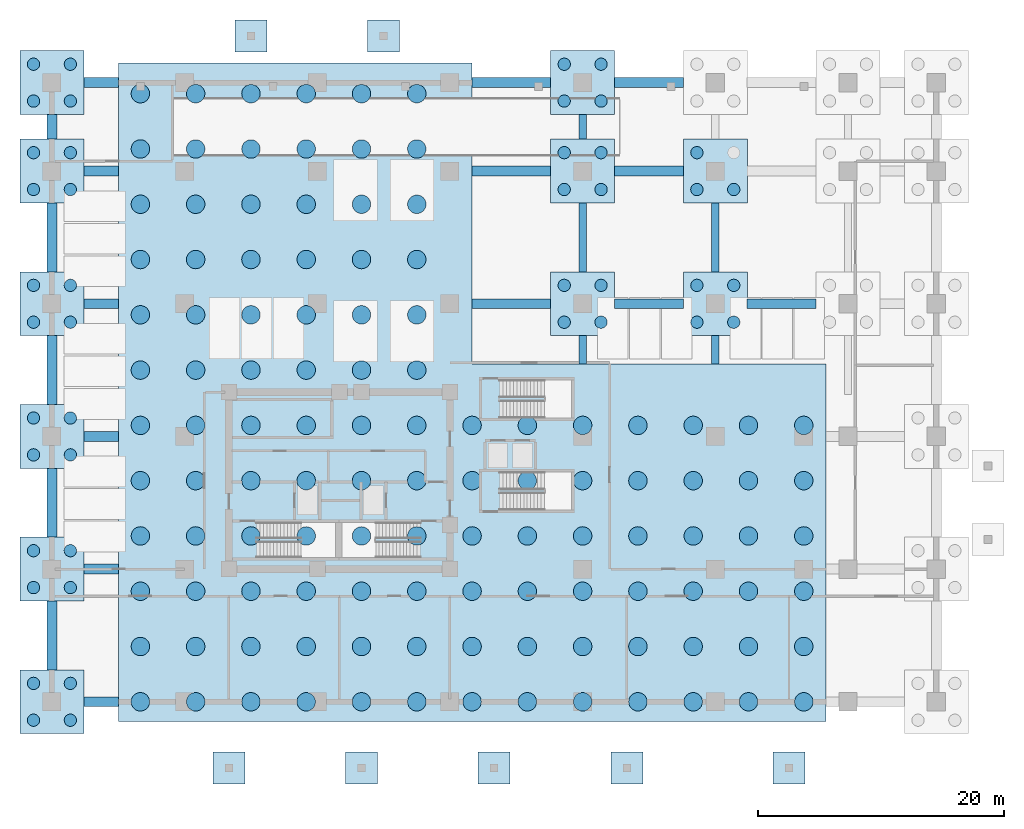
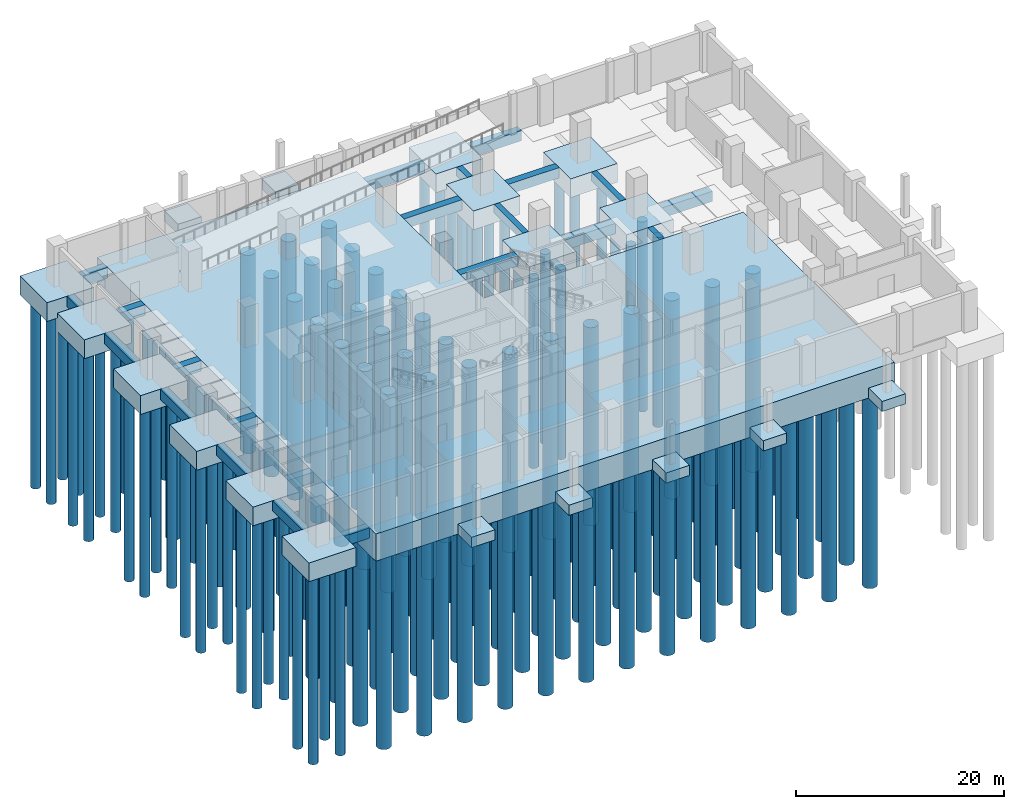
# One storey, part 1 of 9: 157 piles, 42 footings.
"""IFC4 building model written with IfcOpenShell, lengths in metres."""

from ifc_helpers import new_model, si_unit, direction, frame, origin, origin_2d, place, context, subcontext, project, spatial, polyline, rectangle, circle, outline, extrude, material, material_profile, profile_set, type_object, element, save


model = new_model("IFC4")

# Units and contexts
model_context = context("Model", 3, precision=1e-05, world=origin(), true_north=direction((0.0, 1.0)))
body_context = subcontext(model_context, "Body", "Model", "MODEL_VIEW")
ifc_project = project(units=[si_unit("LENGTHUNIT", "METRE"), si_unit("AREAUNIT", "SQUARE_METRE"), si_unit("VOLUMEUNIT", "CUBIC_METRE"), si_unit("PLANEANGLEUNIT", "RADIAN"), si_unit("MASSUNIT", "GRAM", prefix="KILO")], contexts=[model_context])

# Site, building, storey
site_placement = place(None, origin())
site = spatial("IfcSite", under=ifc_project, at=site_placement, CompositionType="ELEMENT")
building_placement = place(site_placement, origin())
building = spatial("IfcBuilding", under=site, at=building_placement, Name="Solnavia Interchange Tower", CompositionType="ELEMENT")
storey_placement = place(building_placement, frame((0.0, 0.0, -9.60009765625)))
storey = spatial("IfcBuildingStorey", under=building, at=storey_placement, Name="B02", CompositionType="ELEMENT", Elevation=-9.60009765625)

# Footings
ifc_material = material(Name="Concrete C40/50", Category="concrete")
footing_type_1 = type_object("IfcFootingType", Name="Footing-CanopyPad-2600", PredefinedType="PAD_FOOTING", material=ifc_material)
for number, where, z_axis, x_axis, name in (
    (1, (14.39990234375, -5.39990234375, -1.19970703125), (0.0, 0.0, 1.0), (1.0, 0.0, 0.0), "PAD-B02-01 Promenade canopy pad footing"),
    (2, (25.199951171875, -5.39990234375, -1.19970703125), (0.0, 0.0, 1.0), (1.0, 0.0, 0.0), "PAD-B02-02 Promenade canopy pad footing"),
    (3, (36.0, -5.39990234375, -1.19970703125), (0.0, 0.0, 1.0), (1.0, 0.0, 0.0), "PAD-B02-03 Promenade canopy pad footing"),
    (4, (46.800048828125, -5.39990234375, -1.19970703125), (0.0, 0.0, 1.0), (1.0, 0.0, 0.0), "PAD-B02-04 Promenade canopy pad footing"),
    (5, (60.0, -5.39990234375, -1.19970703125), (0.0, 0.0, 1.0), (1.0, 0.0, 0.0), "PAD-B02-05 Promenade canopy pad footing"),
    (6, (16.199951171875, 54.199951171875, -1.19970703125), (0.0, 0.0, 1.0), (1.0, 0.0, 0.0), "PAD-B02-06 Promenade canopy pad footing"),
    (7, (27.0, 54.199951171875, -1.19970703125), (0.0, 0.0, 1.0), (1.0, 0.0, 0.0), "PAD-B02-07 Promenade canopy pad footing"),
):
    element("IfcFooting", number, at=place(storey_placement, frame(where, z_axis=z_axis, x_axis=x_axis)), inside=storey, type_object=footing_type_1, Name=name, PredefinedType="PAD_FOOTING", context=body_context, shape_type="SweptSolid", body=[
        extrude(rectangle(XDim=2.60009765625, YDim=2.60009765625, at=origin_2d()), origin(), (0.0, 0.0, 1.0), 1.199951171875),
    ])
footing_type_2 = type_object("IfcFootingType", Name="Footing-Cap-5200", PredefinedType="PILE_CAP", material=ifc_material)
for number, where, z_axis, x_axis, name in (
    (8, (0.0, 0.0, -2.19970703125), (0.0, 0.0, 1.0), (1.0, 0.0, 0.0), "PCP-B02-01 Podium four-pile cap"),
    (9, (0.0, 10.800048828125, -2.19970703125), (0.0, 0.0, 1.0), (1.0, 0.0, 0.0), "PCP-B02-02 Podium four-pile cap"),
    (10, (0.0, 21.60009765625, -2.19970703125), (0.0, 0.0, 1.0), (1.0, 0.0, 0.0), "PCP-B02-03 Podium four-pile cap"),
    (11, (0.0, 32.39990234375, -2.19970703125), (0.0, 0.0, 1.0), (1.0, 0.0, 0.0), "PCP-B02-04 Podium four-pile cap"),
    (12, (0.0, 43.199951171875, -2.19970703125), (0.0, 0.0, 1.0), (1.0, 0.0, 0.0), "PCP-B02-05 Podium four-pile cap"),
    (13, (0.0, 50.39990234375, -2.19970703125), (0.0, 0.0, 1.0), (1.0, 0.0, 0.0), "PCP-B02-06 Podium four-pile cap"),
    (14, (43.199951171875, 32.39990234375, -2.19970703125), (0.0, 0.0, 1.0), (1.0, 0.0, 0.0), "PCP-B02-13 Podium four-pile cap"),
    (15, (43.199951171875, 43.199951171875, -2.19970703125), (0.0, 0.0, 1.0), (1.0, 0.0, 0.0), "PCP-B02-14 Podium four-pile cap"),
    (16, (43.199951171875, 50.39990234375, -2.19970703125), (0.0, 0.0, 1.0), (1.0, 0.0, 0.0), "PCP-B02-15 Podium four-pile cap"),
    (17, (54.0, 32.39990234375, -2.19970703125), (0.0, 0.0, 1.0), (1.0, 0.0, 0.0), "PCP-B02-16 Podium four-pile cap"),
    (18, (54.0, 43.199951171875, -2.19970703125), (0.0, 0.0, 1.0), (1.0, 0.0, 0.0), "PCP-B02-17 Podium four-pile cap"),
):
    element("IfcFooting", number, at=place(storey_placement, frame(where, z_axis=z_axis, x_axis=x_axis)), inside=storey, type_object=footing_type_2, Name=name, PredefinedType="PILE_CAP", context=body_context, shape_type="SweptSolid", body=[
        extrude(rectangle(XDim=5.199951171875, YDim=5.199951171875, at=origin_2d()), origin(), (0.0, 0.0, 1.0), 2.199951171875),
    ])
footing_type_3 = type_object("IfcFootingType", Name="Footing-GroundBeam-600x1000", PredefinedType="FOOTING_BEAM", material=ifc_material)
footing_1_placement = place(storey_placement, frame((43.199951171875, 28.64990234375, -1.0), z_axis=(0.0, 0.0, 1.0), x_axis=(0.0, 1.0, 0.0)))
element("IfcFooting", 19, at=footing_1_placement, inside=storey, type_object=footing_type_3, Name="GBM-B02-32 Ground tie beam", PredefinedType="FOOTING_BEAM", context=body_context, shape_type="SweptSolid", body=[
    extrude(rectangle(XDim=2.300048828125, YDim=0.60009765625, at=origin_2d()), origin(), (0.0, 0.0, 1.0), 1.0),
])
footing_2_placement = place(storey_placement, frame((43.199951171875, 37.800048828125, -1.0), z_axis=(0.0, 0.0, 1.0), x_axis=(0.0, 1.0, 0.0)))
element("IfcFooting", 20, at=footing_2_placement, inside=storey, type_object=footing_type_3, Name="GBM-B02-33 Ground tie beam", PredefinedType="FOOTING_BEAM", context=body_context, shape_type="SweptSolid", body=[
    extrude(rectangle(XDim=5.60009765625, YDim=0.60009765625, at=origin_2d()), origin(), (0.0, 0.0, 1.0), 1.0),
])
footing_3_placement = place(storey_placement, frame((43.199951171875, 46.800048828125, -1.0), z_axis=(0.0, 0.0, 1.0), x_axis=(0.0, 1.0, 0.0)))
element("IfcFooting", 21, at=footing_3_placement, inside=storey, type_object=footing_type_3, Name="GBM-B02-34 Ground tie beam", PredefinedType="FOOTING_BEAM", context=body_context, shape_type="SweptSolid", body=[
    extrude(rectangle(XDim=2.0, YDim=0.60009765625, at=origin_2d()), origin(), (0.0, 0.0, 1.0), 1.0),
])
footing_4_placement = place(storey_placement, frame((54.0, 28.64990234375, -1.0), z_axis=(0.0, 0.0, 1.0), x_axis=(0.0, 1.0, 0.0)))
element("IfcFooting", 22, at=footing_4_placement, inside=storey, type_object=footing_type_3, Name="GBM-B02-35 Ground tie beam", PredefinedType="FOOTING_BEAM", context=body_context, shape_type="SweptSolid", body=[
    extrude(rectangle(XDim=2.300048828125, YDim=0.60009765625, at=origin_2d()), origin(), (0.0, 0.0, 1.0), 1.0),
])
footing_5_placement = place(storey_placement, frame((54.0, 37.800048828125, -1.0), z_axis=(0.0, 0.0, 1.0), x_axis=(0.0, 1.0, 0.0)))
element("IfcFooting", 23, at=footing_5_placement, inside=storey, type_object=footing_type_3, Name="GBM-B02-36 Ground tie beam", PredefinedType="FOOTING_BEAM", context=body_context, shape_type="SweptSolid", body=[
    extrude(rectangle(XDim=5.60009765625, YDim=0.60009765625, at=origin_2d()), origin(), (0.0, 0.0, 1.0), 1.0),
])
footing_type_4 = type_object("IfcFootingType", Name="Footing-GroundBeam-800x1200", PredefinedType="FOOTING_BEAM", material=ifc_material)
for number, where, z_axis, x_axis, name in (
    (24, (0.0, 5.39990234375, -1.19970703125), (0.0, 0.0, 1.0), (0.0, 1.0, 0.0), "GBM-B02-01 Ground tie beam"),
    (25, (0.0, 16.199951171875, -1.19970703125), (0.0, 0.0, 1.0), (0.0, 1.0, 0.0), "GBM-B02-02 Ground tie beam"),
    (26, (0.0, 27.0, -1.19970703125), (0.0, 0.0, 1.0), (0.0, 1.0, 0.0), "GBM-B02-03 Ground tie beam"),
    (27, (0.0, 37.800048828125, -1.19970703125), (0.0, 0.0, 1.0), (0.0, 1.0, 0.0), "GBM-B02-04 Ground tie beam"),
):
    element("IfcFooting", number, at=place(storey_placement, frame(where, z_axis=z_axis, x_axis=x_axis)), inside=storey, type_object=footing_type_4, Name=name, PredefinedType="FOOTING_BEAM", context=body_context, shape_type="SweptSolid", body=[
        extrude(rectangle(XDim=5.60009765625, YDim=0.800048828125, at=origin_2d()), origin(), (0.0, 0.0, 1.0), 1.199951171875),
    ])
footing_6_placement = place(storey_placement, frame((0.0, 46.800048828125, -1.19970703125), z_axis=(0.0, 0.0, 1.0), x_axis=(0.0, 1.0, 0.0)))
element("IfcFooting", 28, at=footing_6_placement, inside=storey, type_object=footing_type_4, Name="GBM-B02-05 Ground tie beam", PredefinedType="FOOTING_BEAM", context=body_context, shape_type="SweptSolid", body=[
    extrude(rectangle(XDim=2.0, YDim=0.800048828125, at=origin_2d()), origin(), (0.0, 0.0, 1.0), 1.199951171875),
])
for number, where, z_axis, x_axis, name in (
    (29, (4.0, 0.0, -1.19970703125), (0.0, 0.0, 1.0), (1.0, 0.0, 0.0), "GBM-B02-11 Ground tie beam"),
    (30, (4.0, 10.800048828125, -1.19970703125), (0.0, 0.0, 1.0), (1.0, 0.0, 0.0), "GBM-B02-13 Ground tie beam"),
    (31, (4.0, 21.60009765625, -1.19970703125), (0.0, 0.0, 1.0), (1.0, 0.0, 0.0), "GBM-B02-15 Ground tie beam"),
    (32, (4.0, 32.39990234375, -1.19970703125), (0.0, 0.0, 1.0), (1.0, 0.0, 0.0), "GBM-B02-17 Ground tie beam"),
):
    element("IfcFooting", number, at=place(storey_placement, frame(where, z_axis=z_axis, x_axis=x_axis)), inside=storey, type_object=footing_type_4, Name=name, PredefinedType="FOOTING_BEAM", context=body_context, shape_type="SweptSolid", body=[
        extrude(rectangle(XDim=2.800048828125, YDim=0.800048828125, at=origin_2d()), origin(), (0.0, 0.0, 1.0), 1.199951171875),
    ])
footing_7_placement = place(storey_placement, frame((37.39990234375, 32.39990234375, -1.19970703125), z_axis=(0.0, 0.0, 1.0), x_axis=(1.0, 0.0, 0.0)))
element("IfcFooting", 33, at=footing_7_placement, inside=storey, type_object=footing_type_4, Name="GBM-B02-18 Ground tie beam", PredefinedType="FOOTING_BEAM", context=body_context, shape_type="SweptSolid", body=[
    extrude(rectangle(XDim=6.39990234375, YDim=0.800048828125, at=origin_2d()), origin(), (0.0, 0.0, 1.0), 1.199951171875),
])
for number, where, z_axis, x_axis, name in (
    (34, (48.60009765625, 32.39990234375, -1.19970703125), (0.0, 0.0, 1.0), (1.0, 0.0, 0.0), "GBM-B02-19 Ground tie beam"),
    (35, (59.39990234375, 32.39990234375, -1.19970703125), (0.0, 0.0, 1.0), (1.0, 0.0, 0.0), "GBM-B02-20 Ground tie beam"),
):
    element("IfcFooting", number, at=place(storey_placement, frame(where, z_axis=z_axis, x_axis=x_axis)), inside=storey, type_object=footing_type_4, Name=name, PredefinedType="FOOTING_BEAM", context=body_context, shape_type="SweptSolid", body=[
        extrude(rectangle(XDim=5.60009765625, YDim=0.800048828125, at=origin_2d()), origin(), (0.0, 0.0, 1.0), 1.199951171875),
    ])
footing_8_placement = place(storey_placement, frame((4.0, 43.199951171875, -1.19970703125), z_axis=(0.0, 0.0, 1.0), x_axis=(1.0, 0.0, 0.0)))
element("IfcFooting", 36, at=footing_8_placement, inside=storey, type_object=footing_type_4, Name="GBM-B02-22 Ground tie beam", PredefinedType="FOOTING_BEAM", context=body_context, shape_type="SweptSolid", body=[
    extrude(rectangle(XDim=2.800048828125, YDim=0.800048828125, at=origin_2d()), origin(), (0.0, 0.0, 1.0), 1.199951171875),
])
footing_9_placement = place(storey_placement, frame((37.39990234375, 43.199951171875, -1.19970703125), z_axis=(0.0, 0.0, 1.0), x_axis=(1.0, 0.0, 0.0)))
element("IfcFooting", 37, at=footing_9_placement, inside=storey, type_object=footing_type_4, Name="GBM-B02-23 Ground tie beam", PredefinedType="FOOTING_BEAM", context=body_context, shape_type="SweptSolid", body=[
    extrude(rectangle(XDim=6.39990234375, YDim=0.800048828125, at=origin_2d()), origin(), (0.0, 0.0, 1.0), 1.199951171875),
])
footing_10_placement = place(storey_placement, frame((48.60009765625, 43.199951171875, -1.19970703125), z_axis=(0.0, 0.0, 1.0), x_axis=(1.0, 0.0, 0.0)))
element("IfcFooting", 38, at=footing_10_placement, inside=storey, type_object=footing_type_4, Name="GBM-B02-24 Ground tie beam", PredefinedType="FOOTING_BEAM", context=body_context, shape_type="SweptSolid", body=[
    extrude(rectangle(XDim=5.60009765625, YDim=0.800048828125, at=origin_2d()), origin(), (0.0, 0.0, 1.0), 1.199951171875),
])
footing_11_placement = place(storey_placement, frame((4.0, 50.39990234375, -1.19970703125), z_axis=(0.0, 0.0, 1.0), x_axis=(1.0, 0.0, 0.0)))
element("IfcFooting", 39, at=footing_11_placement, inside=storey, type_object=footing_type_4, Name="GBM-B02-27 Ground tie beam", PredefinedType="FOOTING_BEAM", context=body_context, shape_type="SweptSolid", body=[
    extrude(rectangle(XDim=2.800048828125, YDim=0.800048828125, at=origin_2d()), origin(), (0.0, 0.0, 1.0), 1.199951171875),
])
footing_12_placement = place(storey_placement, frame((37.39990234375, 50.39990234375, -1.19970703125), z_axis=(0.0, 0.0, 1.0), x_axis=(1.0, 0.0, 0.0)))
element("IfcFooting", 40, at=footing_12_placement, inside=storey, type_object=footing_type_4, Name="GBM-B02-28 Ground tie beam", PredefinedType="FOOTING_BEAM", context=body_context, shape_type="SweptSolid", body=[
    extrude(rectangle(XDim=6.39990234375, YDim=0.800048828125, at=origin_2d()), origin(), (0.0, 0.0, 1.0), 1.199951171875),
])
footing_13_placement = place(storey_placement, frame((48.60009765625, 50.39990234375, -1.19970703125), z_axis=(0.0, 0.0, 1.0), x_axis=(1.0, 0.0, 0.0)))
element("IfcFooting", 41, at=footing_13_placement, inside=storey, type_object=footing_type_4, Name="GBM-B02-29 Ground tie beam", PredefinedType="FOOTING_BEAM", context=body_context, shape_type="SweptSolid", body=[
    extrude(rectangle(XDim=5.60009765625, YDim=0.800048828125, at=origin_2d()), origin(), (0.0, 0.0, 1.0), 1.199951171875),
])
footing_type_5 = type_object("IfcFootingType", Name="Footing-Raft-3200", PredefinedType="PAD_FOOTING", material=ifc_material)
footing_14_placement = place(storey_placement, frame((0.0, 0.0, -3.199951171875)))
element("IfcFooting", 42, at=footing_14_placement, inside=storey, type_object=footing_type_5, Name="RAF-B02-01 Tower piled raft foundation", PredefinedType="PAD_FOOTING", context=body_context, shape_type="SweptSolid", body=[
    extrude(outline(polyline([(5.39990234375, -1.60009765625), (63.0, -1.60009765625), (63.0, 27.5), (34.199951171875, 27.5), (34.199951171875, 52.0), (5.39990234375, 52.0), (5.39990234375, -1.60009765625)])), origin(), (0.0, 0.0, 1.0), 3.199951171875),
])

# Piles
ifc_material_profile_1 = material_profile(ifc_material, circle(Radius=0.5, at=origin_2d()), Name="PILE D1000")
ifc_profile_set_1 = profile_set([ifc_material_profile_1], Name="Concrete C40/50")
pile_type_1 = type_object("IfcPileType", Name="Pile-Bored-D1000", PredefinedType="BORED", material=ifc_profile_set_1)
for number, where, z_axis, x_axis, name in (
    (43, (-1.5, -1.5, -2.099853515625), (0.0, 0.0, -1.0), (1.0, 0.0, 0.0), "BPL-C-001 Cap bored pile"),
    (44, (-1.5, 1.5, -2.099853515625), (0.0, 0.0, -1.0), (1.0, 0.0, 0.0), "BPL-C-002 Cap bored pile"),
    (45, (1.5, -1.5, -2.099853515625), (0.0, 0.0, -1.0), (1.0, 0.0, 0.0), "BPL-C-003 Cap bored pile"),
    (46, (1.5, 1.5, -2.099853515625), (0.0, 0.0, -1.0), (1.0, 0.0, 0.0), "BPL-C-004 Cap bored pile"),
    (47, (-1.5, 9.300048828125, -2.099853515625), (0.0, 0.0, -1.0), (1.0, 0.0, 0.0), "BPL-C-005 Cap bored pile"),
    (48, (-1.5, 12.300048828125, -2.099853515625), (0.0, 0.0, -1.0), (1.0, 0.0, 0.0), "BPL-C-006 Cap bored pile"),
    (49, (1.5, 9.300048828125, -2.099853515625), (0.0, 0.0, -1.0), (1.0, 0.0, 0.0), "BPL-C-007 Cap bored pile"),
    (50, (1.5, 12.300048828125, -2.099853515625), (0.0, 0.0, -1.0), (1.0, 0.0, 0.0), "BPL-C-008 Cap bored pile"),
    (51, (-1.5, 20.10009765625, -2.099853515625), (0.0, 0.0, -1.0), (1.0, 0.0, 0.0), "BPL-C-009 Cap bored pile"),
    (52, (-1.5, 23.10009765625, -2.099853515625), (0.0, 0.0, -1.0), (1.0, 0.0, 0.0), "BPL-C-010 Cap bored pile"),
    (53, (1.5, 20.10009765625, -2.099853515625), (0.0, 0.0, -1.0), (1.0, 0.0, 0.0), "BPL-C-011 Cap bored pile"),
    (54, (1.5, 23.10009765625, -2.099853515625), (0.0, 0.0, -1.0), (1.0, 0.0, 0.0), "BPL-C-012 Cap bored pile"),
    (55, (-1.5, 30.89990234375, -2.099853515625), (0.0, 0.0, -1.0), (1.0, 0.0, 0.0), "BPL-C-013 Cap bored pile"),
    (56, (-1.5, 33.89990234375, -2.099853515625), (0.0, 0.0, -1.0), (1.0, 0.0, 0.0), "BPL-C-014 Cap bored pile"),
    (57, (1.5, 30.89990234375, -2.099853515625), (0.0, 0.0, -1.0), (1.0, 0.0, 0.0), "BPL-C-015 Cap bored pile"),
    (58, (1.5, 33.89990234375, -2.099853515625), (0.0, 0.0, -1.0), (1.0, 0.0, 0.0), "BPL-C-016 Cap bored pile"),
    (59, (-1.5, 41.699951171875, -2.099853515625), (0.0, 0.0, -1.0), (1.0, 0.0, 0.0), "BPL-C-017 Cap bored pile"),
    (60, (-1.5, 44.699951171875, -2.099853515625), (0.0, 0.0, -1.0), (1.0, 0.0, 0.0), "BPL-C-018 Cap bored pile"),
    (61, (1.5, 41.699951171875, -2.099853515625), (0.0, 0.0, -1.0), (1.0, 0.0, 0.0), "BPL-C-019 Cap bored pile"),
    (62, (1.5, 44.699951171875, -2.099853515625), (0.0, 0.0, -1.0), (1.0, 0.0, 0.0), "BPL-C-020 Cap bored pile"),
    (63, (-1.5, 48.89990234375, -2.099853515625), (0.0, 0.0, -1.0), (1.0, 0.0, 0.0), "BPL-C-021 Cap bored pile"),
    (64, (-1.5, 51.89990234375, -2.099853515625), (0.0, 0.0, -1.0), (1.0, 0.0, 0.0), "BPL-C-022 Cap bored pile"),
    (65, (1.5, 48.89990234375, -2.099853515625), (0.0, 0.0, -1.0), (1.0, 0.0, 0.0), "BPL-C-023 Cap bored pile"),
    (66, (1.5, 51.89990234375, -2.099853515625), (0.0, 0.0, -1.0), (1.0, 0.0, 0.0), "BPL-C-024 Cap bored pile"),
    (67, (41.699951171875, 30.89990234375, -2.099853515625), (0.0, 0.0, -1.0), (1.0, 0.0, 0.0), "BPL-C-049 Cap bored pile"),
    (68, (41.699951171875, 33.89990234375, -2.099853515625), (0.0, 0.0, -1.0), (1.0, 0.0, 0.0), "BPL-C-050 Cap bored pile"),
    (69, (44.699951171875, 30.89990234375, -2.099853515625), (0.0, 0.0, -1.0), (1.0, 0.0, 0.0), "BPL-C-051 Cap bored pile"),
    (70, (44.699951171875, 33.89990234375, -2.099853515625), (0.0, 0.0, -1.0), (1.0, 0.0, 0.0), "BPL-C-052 Cap bored pile"),
    (71, (41.699951171875, 41.699951171875, -2.099853515625), (0.0, 0.0, -1.0), (1.0, 0.0, 0.0), "BPL-C-053 Cap bored pile"),
    (72, (41.699951171875, 44.699951171875, -2.099853515625), (0.0, 0.0, -1.0), (1.0, 0.0, 0.0), "BPL-C-054 Cap bored pile"),
    (73, (44.699951171875, 41.699951171875, -2.099853515625), (0.0, 0.0, -1.0), (1.0, 0.0, 0.0), "BPL-C-055 Cap bored pile"),
    (74, (44.699951171875, 44.699951171875, -2.099853515625), (0.0, 0.0, -1.0), (1.0, 0.0, 0.0), "BPL-C-056 Cap bored pile"),
    (75, (41.699951171875, 48.89990234375, -2.099853515625), (0.0, 0.0, -1.0), (1.0, 0.0, 0.0), "BPL-C-057 Cap bored pile"),
    (76, (41.699951171875, 51.89990234375, -2.099853515625), (0.0, 0.0, -1.0), (1.0, 0.0, 0.0), "BPL-C-058 Cap bored pile"),
    (77, (44.699951171875, 48.89990234375, -2.099853515625), (0.0, 0.0, -1.0), (1.0, 0.0, 0.0), "BPL-C-059 Cap bored pile"),
    (78, (44.699951171875, 51.89990234375, -2.099853515625), (0.0, 0.0, -1.0), (1.0, 0.0, 0.0), "BPL-C-060 Cap bored pile"),
    (79, (52.5, 30.89990234375, -2.099853515625), (0.0, 0.0, -1.0), (1.0, 0.0, 0.0), "BPL-C-061 Cap bored pile"),
    (80, (52.5, 33.89990234375, -2.099853515625), (0.0, 0.0, -1.0), (1.0, 0.0, 0.0), "BPL-C-062 Cap bored pile"),
    (81, (55.5, 30.89990234375, -2.099853515625), (0.0, 0.0, -1.0), (1.0, 0.0, 0.0), "BPL-C-063 Cap bored pile"),
    (82, (55.5, 33.89990234375, -2.099853515625), (0.0, 0.0, -1.0), (1.0, 0.0, 0.0), "BPL-C-064 Cap bored pile"),
    (83, (52.5, 41.699951171875, -2.099853515625), (0.0, 0.0, -1.0), (1.0, 0.0, 0.0), "BPL-C-065 Cap bored pile"),
    (84, (52.5, 44.699951171875, -2.099853515625), (0.0, 0.0, -1.0), (1.0, 0.0, 0.0), "BPL-C-066 Cap bored pile"),
    (85, (55.5, 41.699951171875, -2.099853515625), (0.0, 0.0, -1.0), (1.0, 0.0, 0.0), "BPL-C-067 Cap bored pile"),
):
    element("IfcPile", number, at=place(storey_placement, frame(where, z_axis=z_axis, x_axis=x_axis)), inside=storey, type_object=pile_type_1, Name=name, PredefinedType="BORED", context=body_context, shape_type="SweptSolid", body=[
        extrude(circle(Radius=0.5, at=origin_2d()), origin(), (0.0, 0.0, 1.0), 22.300048828125),
    ])
ifc_material_profile_2 = material_profile(ifc_material, circle(Radius=0.75, at=origin_2d()), Name="PILE D1500")
ifc_profile_set_2 = profile_set([ifc_material_profile_2], Name="Concrete C40/50")
pile_type_2 = type_object("IfcPileType", Name="Pile-Bored-D1500", PredefinedType="BORED", material=ifc_profile_set_2)
for number, where, z_axis, x_axis, name in (
    (86, (7.199951171875, 0.0, -3.099853515625), (0.0, 0.0, -1.0), (1.0, 0.0, 0.0), "BPL-R-001 Raft bored pile"),
    (87, (7.199951171875, 4.5, -3.099853515625), (0.0, 0.0, -1.0), (1.0, 0.0, 0.0), "BPL-R-002 Raft bored pile"),
    (88, (7.199951171875, 9.0, -3.099853515625), (0.0, 0.0, -1.0), (1.0, 0.0, 0.0), "BPL-R-003 Raft bored pile"),
    (89, (7.199951171875, 13.5, -3.099853515625), (0.0, 0.0, -1.0), (1.0, 0.0, 0.0), "BPL-R-004 Raft bored pile"),
    (90, (7.199951171875, 18.0, -3.099853515625), (0.0, 0.0, -1.0), (1.0, 0.0, 0.0), "BPL-R-005 Raft bored pile"),
    (91, (7.199951171875, 22.5, -3.099853515625), (0.0, 0.0, -1.0), (1.0, 0.0, 0.0), "BPL-R-006 Raft bored pile"),
    (92, (7.199951171875, 27.0, -3.099853515625), (0.0, 0.0, -1.0), (1.0, 0.0, 0.0), "BPL-R-007 Raft bored pile"),
    (93, (7.199951171875, 31.5, -3.099853515625), (0.0, 0.0, -1.0), (1.0, 0.0, 0.0), "BPL-R-008 Raft bored pile"),
    (94, (7.199951171875, 36.0, -3.099853515625), (0.0, 0.0, -1.0), (1.0, 0.0, 0.0), "BPL-R-009 Raft bored pile"),
    (95, (7.199951171875, 40.5, -3.099853515625), (0.0, 0.0, -1.0), (1.0, 0.0, 0.0), "BPL-R-010 Raft bored pile"),
    (96, (7.199951171875, 45.0, -3.099853515625), (0.0, 0.0, -1.0), (1.0, 0.0, 0.0), "BPL-R-011 Raft bored pile"),
    (97, (7.199951171875, 49.5, -3.099853515625), (0.0, 0.0, -1.0), (1.0, 0.0, 0.0), "BPL-R-012 Raft bored pile"),
    (98, (11.699951171875, 0.0, -3.099853515625), (0.0, 0.0, -1.0), (1.0, 0.0, 0.0), "BPL-R-013 Raft bored pile"),
    (99, (11.699951171875, 4.5, -3.099853515625), (0.0, 0.0, -1.0), (1.0, 0.0, 0.0), "BPL-R-014 Raft bored pile"),
    (100, (11.699951171875, 9.0, -3.099853515625), (0.0, 0.0, -1.0), (1.0, 0.0, 0.0), "BPL-R-015 Raft bored pile"),
    (101, (11.699951171875, 13.5, -3.099853515625), (0.0, 0.0, -1.0), (1.0, 0.0, 0.0), "BPL-R-016 Raft bored pile"),
    (102, (11.699951171875, 18.0, -3.099853515625), (0.0, 0.0, -1.0), (1.0, 0.0, 0.0), "BPL-R-017 Raft bored pile"),
    (103, (11.699951171875, 22.5, -3.099853515625), (0.0, 0.0, -1.0), (1.0, 0.0, 0.0), "BPL-R-018 Raft bored pile"),
    (104, (11.699951171875, 27.0, -3.099853515625), (0.0, 0.0, -1.0), (1.0, 0.0, 0.0), "BPL-R-019 Raft bored pile"),
    (105, (11.699951171875, 31.5, -3.099853515625), (0.0, 0.0, -1.0), (1.0, 0.0, 0.0), "BPL-R-020 Raft bored pile"),
    (106, (11.699951171875, 36.0, -3.099853515625), (0.0, 0.0, -1.0), (1.0, 0.0, 0.0), "BPL-R-021 Raft bored pile"),
    (107, (11.699951171875, 40.5, -3.099853515625), (0.0, 0.0, -1.0), (1.0, 0.0, 0.0), "BPL-R-022 Raft bored pile"),
    (108, (11.699951171875, 45.0, -3.099853515625), (0.0, 0.0, -1.0), (1.0, 0.0, 0.0), "BPL-R-023 Raft bored pile"),
    (109, (11.699951171875, 49.5, -3.099853515625), (0.0, 0.0, -1.0), (1.0, 0.0, 0.0), "BPL-R-024 Raft bored pile"),
    (110, (16.199951171875, 0.0, -3.099853515625), (0.0, 0.0, -1.0), (1.0, 0.0, 0.0), "BPL-R-025 Raft bored pile"),
    (111, (16.199951171875, 4.5, -3.099853515625), (0.0, 0.0, -1.0), (1.0, 0.0, 0.0), "BPL-R-026 Raft bored pile"),
    (112, (16.199951171875, 9.0, -3.099853515625), (0.0, 0.0, -1.0), (1.0, 0.0, 0.0), "BPL-R-027 Raft bored pile"),
    (113, (16.199951171875, 13.5, -3.099853515625), (0.0, 0.0, -1.0), (1.0, 0.0, 0.0), "BPL-R-028 Raft bored pile"),
    (114, (16.199951171875, 18.0, -3.099853515625), (0.0, 0.0, -1.0), (1.0, 0.0, 0.0), "BPL-R-029 Raft bored pile"),
    (115, (16.199951171875, 22.5, -3.099853515625), (0.0, 0.0, -1.0), (1.0, 0.0, 0.0), "BPL-R-030 Raft bored pile"),
    (116, (16.199951171875, 27.0, -3.099853515625), (0.0, 0.0, -1.0), (1.0, 0.0, 0.0), "BPL-R-031 Raft bored pile"),
    (117, (16.199951171875, 31.5, -3.099853515625), (0.0, 0.0, -1.0), (1.0, 0.0, 0.0), "BPL-R-032 Raft bored pile"),
    (118, (16.199951171875, 36.0, -3.099853515625), (0.0, 0.0, -1.0), (1.0, 0.0, 0.0), "BPL-R-033 Raft bored pile"),
    (119, (16.199951171875, 40.5, -3.099853515625), (0.0, 0.0, -1.0), (1.0, 0.0, 0.0), "BPL-R-034 Raft bored pile"),
    (120, (16.199951171875, 45.0, -3.099853515625), (0.0, 0.0, -1.0), (1.0, 0.0, 0.0), "BPL-R-035 Raft bored pile"),
    (121, (16.199951171875, 49.5, -3.099853515625), (0.0, 0.0, -1.0), (1.0, 0.0, 0.0), "BPL-R-036 Raft bored pile"),
    (122, (20.699951171875, 0.0, -3.099853515625), (0.0, 0.0, -1.0), (1.0, 0.0, 0.0), "BPL-R-037 Raft bored pile"),
    (123, (20.699951171875, 4.5, -3.099853515625), (0.0, 0.0, -1.0), (1.0, 0.0, 0.0), "BPL-R-038 Raft bored pile"),
    (124, (20.699951171875, 9.0, -3.099853515625), (0.0, 0.0, -1.0), (1.0, 0.0, 0.0), "BPL-R-039 Raft bored pile"),
    (125, (20.699951171875, 13.5, -3.099853515625), (0.0, 0.0, -1.0), (1.0, 0.0, 0.0), "BPL-R-040 Raft bored pile"),
    (126, (20.699951171875, 18.0, -3.099853515625), (0.0, 0.0, -1.0), (1.0, 0.0, 0.0), "BPL-R-041 Raft bored pile"),
    (127, (20.699951171875, 22.5, -3.099853515625), (0.0, 0.0, -1.0), (1.0, 0.0, 0.0), "BPL-R-042 Raft bored pile"),
    (128, (20.699951171875, 27.0, -3.099853515625), (0.0, 0.0, -1.0), (1.0, 0.0, 0.0), "BPL-R-043 Raft bored pile"),
    (129, (20.699951171875, 31.5, -3.099853515625), (0.0, 0.0, -1.0), (1.0, 0.0, 0.0), "BPL-R-044 Raft bored pile"),
    (130, (20.699951171875, 36.0, -3.099853515625), (0.0, 0.0, -1.0), (1.0, 0.0, 0.0), "BPL-R-045 Raft bored pile"),
    (131, (20.699951171875, 40.5, -3.099853515625), (0.0, 0.0, -1.0), (1.0, 0.0, 0.0), "BPL-R-046 Raft bored pile"),
    (132, (20.699951171875, 45.0, -3.099853515625), (0.0, 0.0, -1.0), (1.0, 0.0, 0.0), "BPL-R-047 Raft bored pile"),
    (133, (20.699951171875, 49.5, -3.099853515625), (0.0, 0.0, -1.0), (1.0, 0.0, 0.0), "BPL-R-048 Raft bored pile"),
    (134, (25.199951171875, 0.0, -3.099853515625), (0.0, 0.0, -1.0), (1.0, 0.0, 0.0), "BPL-R-049 Raft bored pile"),
    (135, (25.199951171875, 4.5, -3.099853515625), (0.0, 0.0, -1.0), (1.0, 0.0, 0.0), "BPL-R-050 Raft bored pile"),
    (136, (25.199951171875, 9.0, -3.099853515625), (0.0, 0.0, -1.0), (1.0, 0.0, 0.0), "BPL-R-051 Raft bored pile"),
    (137, (25.199951171875, 13.5, -3.099853515625), (0.0, 0.0, -1.0), (1.0, 0.0, 0.0), "BPL-R-052 Raft bored pile"),
    (138, (25.199951171875, 18.0, -3.099853515625), (0.0, 0.0, -1.0), (1.0, 0.0, 0.0), "BPL-R-053 Raft bored pile"),
    (139, (25.199951171875, 22.5, -3.099853515625), (0.0, 0.0, -1.0), (1.0, 0.0, 0.0), "BPL-R-054 Raft bored pile"),
    (140, (25.199951171875, 27.0, -3.099853515625), (0.0, 0.0, -1.0), (1.0, 0.0, 0.0), "BPL-R-055 Raft bored pile"),
    (141, (25.199951171875, 31.5, -3.099853515625), (0.0, 0.0, -1.0), (1.0, 0.0, 0.0), "BPL-R-056 Raft bored pile"),
    (142, (25.199951171875, 36.0, -3.099853515625), (0.0, 0.0, -1.0), (1.0, 0.0, 0.0), "BPL-R-057 Raft bored pile"),
    (143, (25.199951171875, 40.5, -3.099853515625), (0.0, 0.0, -1.0), (1.0, 0.0, 0.0), "BPL-R-058 Raft bored pile"),
    (144, (25.199951171875, 45.0, -3.099853515625), (0.0, 0.0, -1.0), (1.0, 0.0, 0.0), "BPL-R-059 Raft bored pile"),
    (145, (25.199951171875, 49.5, -3.099853515625), (0.0, 0.0, -1.0), (1.0, 0.0, 0.0), "BPL-R-060 Raft bored pile"),
    (146, (29.699951171875, 0.0, -3.099853515625), (0.0, 0.0, -1.0), (1.0, 0.0, 0.0), "BPL-R-061 Raft bored pile"),
    (147, (29.699951171875, 4.5, -3.099853515625), (0.0, 0.0, -1.0), (1.0, 0.0, 0.0), "BPL-R-062 Raft bored pile"),
    (148, (29.699951171875, 9.0, -3.099853515625), (0.0, 0.0, -1.0), (1.0, 0.0, 0.0), "BPL-R-063 Raft bored pile"),
    (149, (29.699951171875, 13.5, -3.099853515625), (0.0, 0.0, -1.0), (1.0, 0.0, 0.0), "BPL-R-064 Raft bored pile"),
    (150, (29.699951171875, 18.0, -3.099853515625), (0.0, 0.0, -1.0), (1.0, 0.0, 0.0), "BPL-R-065 Raft bored pile"),
    (151, (29.699951171875, 22.5, -3.099853515625), (0.0, 0.0, -1.0), (1.0, 0.0, 0.0), "BPL-R-066 Raft bored pile"),
    (152, (29.699951171875, 27.0, -3.099853515625), (0.0, 0.0, -1.0), (1.0, 0.0, 0.0), "BPL-R-067 Raft bored pile"),
    (153, (29.699951171875, 31.5, -3.099853515625), (0.0, 0.0, -1.0), (1.0, 0.0, 0.0), "BPL-R-068 Raft bored pile"),
    (154, (29.699951171875, 36.0, -3.099853515625), (0.0, 0.0, -1.0), (1.0, 0.0, 0.0), "BPL-R-069 Raft bored pile"),
    (155, (29.699951171875, 40.5, -3.099853515625), (0.0, 0.0, -1.0), (1.0, 0.0, 0.0), "BPL-R-070 Raft bored pile"),
    (156, (29.699951171875, 45.0, -3.099853515625), (0.0, 0.0, -1.0), (1.0, 0.0, 0.0), "BPL-R-071 Raft bored pile"),
    (157, (29.699951171875, 49.5, -3.099853515625), (0.0, 0.0, -1.0), (1.0, 0.0, 0.0), "BPL-R-072 Raft bored pile"),
    (158, (34.199951171875, 0.0, -3.099853515625), (0.0, 0.0, -1.0), (1.0, 0.0, 0.0), "BPL-R-073 Raft bored pile"),
    (159, (34.199951171875, 4.5, -3.099853515625), (0.0, 0.0, -1.0), (1.0, 0.0, 0.0), "BPL-R-074 Raft bored pile"),
    (160, (34.199951171875, 9.0, -3.099853515625), (0.0, 0.0, -1.0), (1.0, 0.0, 0.0), "BPL-R-075 Raft bored pile"),
    (161, (34.199951171875, 13.5, -3.099853515625), (0.0, 0.0, -1.0), (1.0, 0.0, 0.0), "BPL-R-076 Raft bored pile"),
    (162, (34.199951171875, 18.0, -3.099853515625), (0.0, 0.0, -1.0), (1.0, 0.0, 0.0), "BPL-R-077 Raft bored pile"),
    (163, (34.199951171875, 22.5, -3.099853515625), (0.0, 0.0, -1.0), (1.0, 0.0, 0.0), "BPL-R-078 Raft bored pile"),
    (164, (38.699951171875, 0.0, -3.099853515625), (0.0, 0.0, -1.0), (1.0, 0.0, 0.0), "BPL-R-079 Raft bored pile"),
    (165, (38.699951171875, 4.5, -3.099853515625), (0.0, 0.0, -1.0), (1.0, 0.0, 0.0), "BPL-R-080 Raft bored pile"),
    (166, (38.699951171875, 9.0, -3.099853515625), (0.0, 0.0, -1.0), (1.0, 0.0, 0.0), "BPL-R-081 Raft bored pile"),
    (167, (38.699951171875, 13.5, -3.099853515625), (0.0, 0.0, -1.0), (1.0, 0.0, 0.0), "BPL-R-082 Raft bored pile"),
    (168, (38.699951171875, 18.0, -3.099853515625), (0.0, 0.0, -1.0), (1.0, 0.0, 0.0), "BPL-R-083 Raft bored pile"),
    (169, (38.699951171875, 22.5, -3.099853515625), (0.0, 0.0, -1.0), (1.0, 0.0, 0.0), "BPL-R-084 Raft bored pile"),
    (170, (43.199951171875, 0.0, -3.099853515625), (0.0, 0.0, -1.0), (1.0, 0.0, 0.0), "BPL-R-085 Raft bored pile"),
    (171, (43.199951171875, 4.5, -3.099853515625), (0.0, 0.0, -1.0), (1.0, 0.0, 0.0), "BPL-R-086 Raft bored pile"),
    (172, (43.199951171875, 9.0, -3.099853515625), (0.0, 0.0, -1.0), (1.0, 0.0, 0.0), "BPL-R-087 Raft bored pile"),
    (173, (43.199951171875, 13.5, -3.099853515625), (0.0, 0.0, -1.0), (1.0, 0.0, 0.0), "BPL-R-088 Raft bored pile"),
    (174, (43.199951171875, 18.0, -3.099853515625), (0.0, 0.0, -1.0), (1.0, 0.0, 0.0), "BPL-R-089 Raft bored pile"),
    (175, (43.199951171875, 22.5, -3.099853515625), (0.0, 0.0, -1.0), (1.0, 0.0, 0.0), "BPL-R-090 Raft bored pile"),
    (176, (47.699951171875, 0.0, -3.099853515625), (0.0, 0.0, -1.0), (1.0, 0.0, 0.0), "BPL-R-091 Raft bored pile"),
    (177, (47.699951171875, 4.5, -3.099853515625), (0.0, 0.0, -1.0), (1.0, 0.0, 0.0), "BPL-R-092 Raft bored pile"),
    (178, (47.699951171875, 9.0, -3.099853515625), (0.0, 0.0, -1.0), (1.0, 0.0, 0.0), "BPL-R-093 Raft bored pile"),
    (179, (47.699951171875, 13.5, -3.099853515625), (0.0, 0.0, -1.0), (1.0, 0.0, 0.0), "BPL-R-094 Raft bored pile"),
    (180, (47.699951171875, 18.0, -3.099853515625), (0.0, 0.0, -1.0), (1.0, 0.0, 0.0), "BPL-R-095 Raft bored pile"),
    (181, (47.699951171875, 22.5, -3.099853515625), (0.0, 0.0, -1.0), (1.0, 0.0, 0.0), "BPL-R-096 Raft bored pile"),
    (182, (52.199951171875, 0.0, -3.099853515625), (0.0, 0.0, -1.0), (1.0, 0.0, 0.0), "BPL-R-097 Raft bored pile"),
    (183, (52.199951171875, 4.5, -3.099853515625), (0.0, 0.0, -1.0), (1.0, 0.0, 0.0), "BPL-R-098 Raft bored pile"),
    (184, (52.199951171875, 9.0, -3.099853515625), (0.0, 0.0, -1.0), (1.0, 0.0, 0.0), "BPL-R-099 Raft bored pile"),
    (185, (52.199951171875, 13.5, -3.099853515625), (0.0, 0.0, -1.0), (1.0, 0.0, 0.0), "BPL-R-100 Raft bored pile"),
    (186, (52.199951171875, 18.0, -3.099853515625), (0.0, 0.0, -1.0), (1.0, 0.0, 0.0), "BPL-R-101 Raft bored pile"),
    (187, (52.199951171875, 22.5, -3.099853515625), (0.0, 0.0, -1.0), (1.0, 0.0, 0.0), "BPL-R-102 Raft bored pile"),
    (188, (56.699951171875, 0.0, -3.099853515625), (0.0, 0.0, -1.0), (1.0, 0.0, 0.0), "BPL-R-103 Raft bored pile"),
    (189, (56.699951171875, 4.5, -3.099853515625), (0.0, 0.0, -1.0), (1.0, 0.0, 0.0), "BPL-R-104 Raft bored pile"),
    (190, (56.699951171875, 9.0, -3.099853515625), (0.0, 0.0, -1.0), (1.0, 0.0, 0.0), "BPL-R-105 Raft bored pile"),
    (191, (56.699951171875, 13.5, -3.099853515625), (0.0, 0.0, -1.0), (1.0, 0.0, 0.0), "BPL-R-106 Raft bored pile"),
    (192, (56.699951171875, 18.0, -3.099853515625), (0.0, 0.0, -1.0), (1.0, 0.0, 0.0), "BPL-R-107 Raft bored pile"),
    (193, (56.699951171875, 22.5, -3.099853515625), (0.0, 0.0, -1.0), (1.0, 0.0, 0.0), "BPL-R-108 Raft bored pile"),
    (194, (61.199951171875, 0.0, -3.099853515625), (0.0, 0.0, -1.0), (1.0, 0.0, 0.0), "BPL-R-109 Raft bored pile"),
    (195, (61.199951171875, 4.5, -3.099853515625), (0.0, 0.0, -1.0), (1.0, 0.0, 0.0), "BPL-R-110 Raft bored pile"),
    (196, (61.199951171875, 9.0, -3.099853515625), (0.0, 0.0, -1.0), (1.0, 0.0, 0.0), "BPL-R-111 Raft bored pile"),
    (197, (61.199951171875, 13.5, -3.099853515625), (0.0, 0.0, -1.0), (1.0, 0.0, 0.0), "BPL-R-112 Raft bored pile"),
    (198, (61.199951171875, 18.0, -3.099853515625), (0.0, 0.0, -1.0), (1.0, 0.0, 0.0), "BPL-R-113 Raft bored pile"),
    (199, (61.199951171875, 22.5, -3.099853515625), (0.0, 0.0, -1.0), (1.0, 0.0, 0.0), "BPL-R-114 Raft bored pile"),
):
    element("IfcPile", number, at=place(storey_placement, frame(where, z_axis=z_axis, x_axis=x_axis)), inside=storey, type_object=pile_type_2, Name=name, PredefinedType="BORED", context=body_context, shape_type="SweptSolid", body=[
        extrude(circle(Radius=0.75, at=origin_2d()), origin(), (0.0, 0.0, 1.0), 23.300048828125),
    ])

save(model, "model.ifc")
